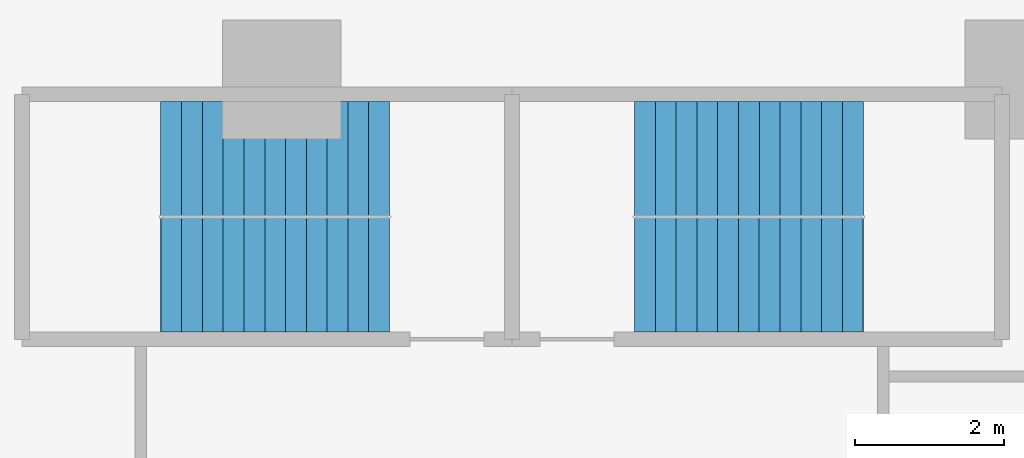
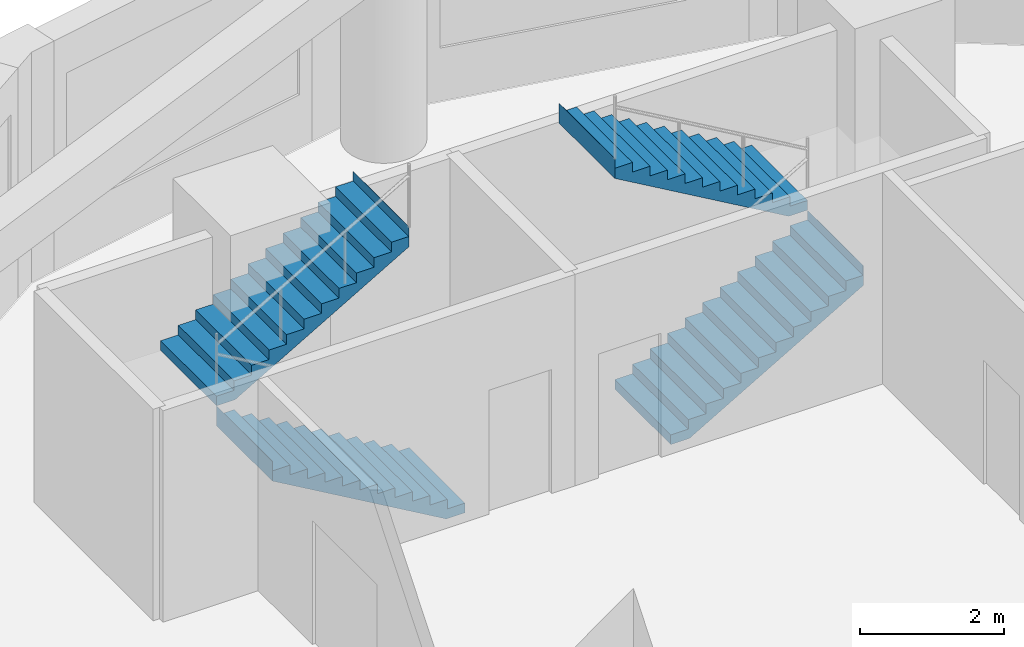
# One storey, part 8 of 10: 4 stair flights, 2 elements without a shape of their own.
"""IFC4 building model written with IfcOpenShell, lengths in metres."""

import ifcopenshell
import ifcopenshell.guid

model = None  # the IFC model being written
_history = None  # IfcOwnerHistory: only IFC2X3 demands one
_inside = {}  # id of a spatial element -> (the spatial element, [elements in it])
_under = {}  # id of a project, library or spatial element -> (it, [spatial elements below it])
_declared = {}  # id of a project -> (the project, [libraries it declares])
_typed = {}  # id of a type object -> (the type object, [elements of that type])
_made_of = {}  # id of a material, layer set ... -> (it, [elements and type objects made of it])


def new_model(schema):
    """Start an empty IFC model of exactly this schema.

    Asked for "IFC4X3", IfcOpenShell would pick the latest addendum, in which some entities
    have other attributes; the version numbers below select the first issue.
    IFC2X3 requires an IfcOwnerHistory on every rooted entity: one is made here for all.
    """
    global model, _history
    if schema == "IFC4X3":
        model = ifcopenshell.file(schema_version=(4, 3, 0, 0))
    else:
        model = ifcopenshell.file(schema=schema)
    _inside.clear()
    _under.clear()
    _declared.clear()
    _typed.clear()
    _made_of.clear()
    _history = None
    if model.schema == "IFC2X3":
        org = make("IfcOrganization", Name="unknown")
        user = make(
            "IfcPersonAndOrganization",
            ThePerson=make("IfcPerson", FamilyName="unknown"),
            TheOrganization=org,
        )
        app = make(
            "IfcApplication",
            ApplicationDeveloper=org,
            Version="unknown",
            ApplicationFullName="unknown",
            ApplicationIdentifier="unknown",
        )
        _history = make(
            "IfcOwnerHistory",
            OwningUser=user,
            OwningApplication=app,
            ChangeAction="ADDED",
            CreationDate=0,
        )
    return model


def make(cls, **values):
    """One entity of the class cls with the attributes given. An attribute that is None is left unset."""
    return model.create_entity(
        cls, **{name: value for name, value in values.items() if value is not None}
    )


def rooted(cls, **values):
    """An entity with a GlobalId (a new one), such as an element, a storey or a relation."""
    return make(cls, GlobalId=ifcopenshell.guid.new(), OwnerHistory=_history, **values)


def si_unit(unit_type, name, prefix=None):
    """IfcSIUnit, for example si_unit("LENGTHUNIT", "METRE", prefix="MILLI")."""
    return make("IfcSIUnit", UnitType=unit_type, Prefix=prefix, Name=name)


def assignment(units):
    """IfcUnitAssignment: the units of a project."""
    return None if units is None else make("IfcUnitAssignment", Units=units)


def point(xyz):
    """IfcCartesianPoint."""
    return None if xyz is None else make("IfcCartesianPoint", Coordinates=xyz)


def direction(xyz):
    """IfcDirection."""
    return None if xyz is None else make("IfcDirection", DirectionRatios=xyz)


def frame(location, z_axis=None, x_axis=None):
    """IfcAxis2Placement3D, a coordinate frame: its origin and axes. An axis left out is left unset."""
    return make(
        "IfcAxis2Placement3D",
        Location=point(location),
        Axis=direction(z_axis),
        RefDirection=direction(x_axis),
    )


def origin():
    """The frame at (0, 0, 0) with its axes left unset."""
    return frame((0.0, 0.0, 0.0))


def place(relative_to, where):
    """IfcLocalPlacement: puts the frame where relative to a parent placement (None: the world)."""
    return make(
        "IfcLocalPlacement", PlacementRelTo=relative_to, RelativePlacement=where
    )


def context(
    kind, dimensions, precision=None, world=None, true_north=None, identifier=None
):
    """IfcGeometricRepresentationContext, for example the 3D "Model" context."""
    return make(
        "IfcGeometricRepresentationContext",
        ContextIdentifier=identifier,
        ContextType=kind,
        CoordinateSpaceDimension=dimensions,
        Precision=precision,
        WorldCoordinateSystem=world,
        TrueNorth=true_north,
    )


def subcontext(parent, identifier, kind, view, scale=None):
    """IfcGeometricRepresentationSubContext, for example "Body" below "Model"."""
    return make(
        "IfcGeometricRepresentationSubContext",
        ContextIdentifier=identifier,
        ContextType=kind,
        ParentContext=parent,
        TargetScale=scale,
        TargetView=view,
    )


def project(units=None, contexts=None):
    """IfcProject with its units and contexts."""
    return rooted(
        "IfcProject",
        Name="project",
        RepresentationContexts=contexts,
        UnitsInContext=assignment(units),
    )


def spatial(cls, under=None, at=None, **own):
    """A site, building, storey or space (cls), placed at a placement, below another one or the project."""
    s = rooted(cls, ObjectPlacement=at, **own)
    if under is not None:
        _under.setdefault(under.id(), (under, []))[1].append(s)
    return s


def polyline(points):
    """IfcPolyline through the points."""
    return make("IfcPolyline", Points=[point(p) for p in points])


def outline(outer, holes=None, kind="AREA"):
    """IfcArbitraryClosedProfileDef: a profile drawn as a closed curve; with holes, ...WithVoids."""
    if holes is None:
        return make("IfcArbitraryClosedProfileDef", ProfileType=kind, OuterCurve=outer)
    return make(
        "IfcArbitraryProfileDefWithVoids",
        ProfileType=kind,
        OuterCurve=outer,
        InnerCurves=holes,
    )


def extrude(swept, where, along, depth):
    """IfcExtrudedAreaSolid: the profile swept, set in the frame where, extruded along a direction by depth."""
    return make(
        "IfcExtrudedAreaSolid",
        SweptArea=swept,
        Position=where,
        ExtrudedDirection=direction(along),
        Depth=depth,
    )


def shape(context_of_items, identifier, shape_type, items):
    """IfcShapeRepresentation: the items that make up one representation, for example the "Body"."""
    return make(
        "IfcShapeRepresentation",
        ContextOfItems=context_of_items,
        RepresentationIdentifier=identifier,
        RepresentationType=shape_type,
        Items=items,
    )


def material(Name=None, Category=None):
    """IfcMaterial."""
    return make("IfcMaterial", Name=Name, Category=Category)


def made_of(thing, what):
    """Note that an element or type object is made of a material, layer set ...; save() writes the relation."""
    if what is not None:
        _made_of.setdefault(what.id(), (what, []))[1].append(thing)
    return thing


def type_object(cls, material=None, **own):
    """A type object (cls), such as IfcWallType, which elements share."""
    return made_of(rooted(cls, **own), material)


def element(
    cls,
    number,
    at=None,
    inside=None,
    cuts=None,
    type_object=None,
    material=None,
    context=None,
    identifier="Body",
    shape_type=None,
    held_by="IfcProductDefinitionShape",
    body=None,
    shapes=None,
    **own,
):
    """One element of the class cls, such as IfcWall. Its Tag is "e" and its number.

    at: its placement. inside: the storey or other place that contains it. cuts: it is an
    opening in that element (IfcRelVoidsElement). A single representation is given by context,
    identifier, shape_type and body (its items); several are given by shapes. held_by: the class
    of the entity that holds the representations. save() writes the other relations.
    """
    e = rooted(cls, Tag="e%d" % number, ObjectPlacement=at, **own)
    if body is not None:
        shapes = [shape(context, identifier, shape_type, body)]
    if shapes is not None:
        e.Representation = make(held_by, Representations=shapes)
    if inside is not None:
        _inside.setdefault(inside.id(), (inside, []))[1].append(e)
    if cuts is not None:
        rooted(
            "IfcRelVoidsElement", RelatingBuildingElement=cuts, RelatedOpeningElement=e
        )
    if type_object is not None:
        _typed.setdefault(type_object.id(), (type_object, []))[1].append(e)
    return made_of(e, material)


def aggregate(whole, parts):
    """IfcRelAggregates: a whole, such as a stair, and the parts it consists of."""
    return rooted("IfcRelAggregates", RelatingObject=whole, RelatedObjects=parts)


def save(model, path):
    """Write the relations noted so far, then the file.

    IfcRelAggregates (storeys below a building ...), IfcRelContainedInSpatialStructure (elements
    in a storey), IfcRelDefinesByType, IfcRelAssociatesMaterial and IfcRelDeclares: one each for
    every whole, place, type object, material and project.
    """
    for whole, parts in _under.values():
        aggregate(whole, parts)
    for where, things in _inside.values():
        rooted(
            "IfcRelContainedInSpatialStructure",
            RelatedElements=things,
            RelatingStructure=where,
        )
    for kind, things in _typed.values():
        rooted("IfcRelDefinesByType", RelatedObjects=things, RelatingType=kind)
    for what, things in _made_of.values():
        rooted("IfcRelAssociatesMaterial", RelatedObjects=things, RelatingMaterial=what)
    for by, libraries in _declared.values():
        rooted("IfcRelDeclares", RelatingContext=by, RelatedDefinitions=libraries)
    model.write(path)


model = new_model("IFC4")

# Units and contexts
model_context = context("Model", 3, precision=1e-05, world=origin(), true_north=direction((0.0, 1.0)))
body_context = subcontext(model_context, "Body", "Model", "MODEL_VIEW")
ifc_project = project(units=[si_unit("LENGTHUNIT", "METRE"), si_unit("AREAUNIT", "SQUARE_METRE"), si_unit("VOLUMEUNIT", "CUBIC_METRE"), si_unit("PLANEANGLEUNIT", "RADIAN"), si_unit("MASSUNIT", "GRAM", prefix="KILO")], contexts=[model_context])

# Site, building, storey
site_placement = place(None, origin())
site = spatial("IfcSite", under=ifc_project, at=site_placement, CompositionType="ELEMENT")
building_placement = place(site_placement, origin())
building = spatial("IfcBuilding", under=site, at=building_placement, Name="Qaws Garden Tower", CompositionType="ELEMENT")
storey_placement = place(building_placement, frame((0.0, 0.0, 43.199951171875)))
storey = spatial("IfcBuildingStorey", under=building, at=storey_placement, Name="L10", CompositionType="ELEMENT", Elevation=43.199951171875)

# Stair, stair flights
ifc_material_1 = material(Name="Concrete C40", Category="concrete")
stair_type = type_object("IfcStairType", Name="Exit stair 1350", PredefinedType="HALF_TURN_STAIR", material=ifc_material_1)
placement = place(storey_placement, origin())
stair_1 = element("IfcStair", 1, at=placement, inside=storey, type_object=stair_type, Name="Stair 6", PredefinedType="HALF_TURN_STAIR")
ifc_material_2 = material(Name="Concrete C40", Category="concrete")
stair_flight_type = type_object("IfcStairFlightType", Name="Stair flight 1350", PredefinedType="STRAIGHT", material=ifc_material_2)
stair_flight_1_placement = place(storey_placement, frame((11.449951171875, 67.375, 0.0), z_axis=(0.0, 0.0, 1.0), x_axis=(-1.0, 0.0, 0.0)))
stair_flight_1 = element("IfcStairFlight", 2, at=stair_flight_1_placement, type_object=stair_flight_type, Name="ST6 flight 1", NumberOfRisers=12, NumberOfTreads=11, PredefinedType="STRAIGHT", RiserHeight=0.1625, TreadLength=0.28, context=body_context, shape_type="SweptSolid", body=[
    extrude(outline(polyline([(-0.0029296875, 0.0), (-0.0029296875, 0.16259765625), (0.0, 0.16259765625), (0.280029296875, 0.16259765625), (0.280029296875, 0.324951171875), (0.56005859375, 0.324951171875), (0.56005859375, 0.487548828125), (0.840087890625, 0.487548828125), (0.840087890625, 0.64990234375), (1.1201171875, 0.64990234375), (1.1201171875, 0.8125), (1.39990234375, 0.8125), (1.39990234375, 0.97509765625), (1.679931640625, 0.97509765625), (1.679931640625, 1.137451171875), (1.9599609375, 1.137451171875), (1.9599609375, 1.300048828125), (2.239990234375, 1.300048828125), (2.239990234375, 1.46240234375), (2.52001953125, 1.46240234375), (2.52001953125, 1.625), (2.800048828125, 1.625), (2.800048828125, 1.78759765625), (3.080078125, 1.78759765625), (3.080078125, 1.949951171875), (3.0830078125, 1.949951171875), (3.0830078125, 1.6142578125), (3.080078125, 1.6142578125), (0.298583984375, 0.0), (-0.0029296875, 0.0)])), frame((0.0, 0.77490234375, 0.0), z_axis=(0.0, -1.0, 0.0), x_axis=(1.0, 0.0, 0.0)), (0.0, 0.0, 1.0), 1.550048828125),
])
stair_flight_2_placement = place(storey_placement, frame((8.3701171875, 68.925048828125, 1.949951171875), z_axis=(0.0, 0.0, 1.0), x_axis=(1.0, 0.0, 0.0)))
stair_flight_2 = element("IfcStairFlight", 3, at=stair_flight_2_placement, type_object=stair_flight_type, Name="ST6 flight 2", NumberOfRisers=12, NumberOfTreads=11, PredefinedType="STRAIGHT", RiserHeight=0.1625, TreadLength=0.28, context=body_context, shape_type="SweptSolid", body=[
    extrude(outline(polyline([(-0.0029296875, 0.0), (-0.0029296875, 0.16259765625), (0.0, 0.16259765625), (0.280029296875, 0.16259765625), (0.280029296875, 0.324951171875), (0.56005859375, 0.324951171875), (0.56005859375, 0.487548828125), (0.840087890625, 0.487548828125), (0.840087890625, 0.64990234375), (1.1201171875, 0.64990234375), (1.1201171875, 0.8125), (1.39990234375, 0.8125), (1.39990234375, 0.97509765625), (1.679931640625, 0.97509765625), (1.679931640625, 1.137451171875), (1.9599609375, 1.137451171875), (1.9599609375, 1.300048828125), (2.239990234375, 1.300048828125), (2.239990234375, 1.46240234375), (2.52001953125, 1.46240234375), (2.52001953125, 1.625), (2.800048828125, 1.625), (2.800048828125, 1.78759765625), (3.080078125, 1.78759765625), (3.080078125, 1.949951171875), (3.0830078125, 1.949951171875), (3.0830078125, 1.6142578125), (3.080078125, 1.6142578125), (0.298583984375, 0.0), (-0.0029296875, 0.0)])), frame((0.0, 0.77490234375, 0.0), z_axis=(0.0, -1.0, 0.0), x_axis=(1.0, 0.0, 0.0)), (0.0, 0.0, 1.0), 1.550048828125),
])
aggregate(stair_1, [stair_flight_1, stair_flight_2])

stair_2 = element("IfcStair", 4, at=placement, inside=storey, type_object=stair_type, Name="Stair 7", PredefinedType="HALF_TURN_STAIR")
stair_flight_3_placement = place(storey_placement, frame((14.75, 67.375, 0.0), z_axis=(0.0, 0.0, 1.0), x_axis=(1.0, 0.0, 0.0)))
stair_flight_3 = element("IfcStairFlight", 5, at=stair_flight_3_placement, type_object=stair_flight_type, Name="ST7 flight 1", NumberOfRisers=12, NumberOfTreads=11, PredefinedType="STRAIGHT", RiserHeight=0.1625, TreadLength=0.28, context=body_context, shape_type="SweptSolid", body=[
    extrude(outline(polyline([(-0.0029296875, 0.0), (-0.0029296875, 0.16259765625), (0.0, 0.16259765625), (0.280029296875, 0.16259765625), (0.280029296875, 0.324951171875), (0.56005859375, 0.324951171875), (0.56005859375, 0.487548828125), (0.840087890625, 0.487548828125), (0.840087890625, 0.64990234375), (1.1201171875, 0.64990234375), (1.1201171875, 0.8125), (1.39990234375, 0.8125), (1.39990234375, 0.97509765625), (1.679931640625, 0.97509765625), (1.679931640625, 1.137451171875), (1.9599609375, 1.137451171875), (1.9599609375, 1.300048828125), (2.239990234375, 1.300048828125), (2.239990234375, 1.46240234375), (2.52001953125, 1.46240234375), (2.52001953125, 1.625), (2.800048828125, 1.625), (2.800048828125, 1.78759765625), (3.080078125, 1.78759765625), (3.080078125, 1.949951171875), (3.0830078125, 1.949951171875), (3.0830078125, 1.6142578125), (3.080078125, 1.6142578125), (0.298583984375, 0.0), (-0.0029296875, 0.0)])), frame((0.0, 0.77490234375, 0.0), z_axis=(0.0, -1.0, 0.0), x_axis=(1.0, 0.0, 0.0)), (0.0, 0.0, 1.0), 1.550048828125),
])
stair_flight_4_placement = place(storey_placement, frame((17.830078125, 68.925048828125, 1.949951171875), z_axis=(0.0, 0.0, 1.0), x_axis=(-1.0, 0.0, 0.0)))
stair_flight_4 = element("IfcStairFlight", 6, at=stair_flight_4_placement, type_object=stair_flight_type, Name="ST7 flight 2", NumberOfRisers=12, NumberOfTreads=11, PredefinedType="STRAIGHT", RiserHeight=0.1625, TreadLength=0.28, context=body_context, shape_type="SweptSolid", body=[
    extrude(outline(polyline([(-0.0029296875, 0.0), (-0.0029296875, 0.16259765625), (0.0, 0.16259765625), (0.280029296875, 0.16259765625), (0.280029296875, 0.324951171875), (0.56005859375, 0.324951171875), (0.56005859375, 0.487548828125), (0.840087890625, 0.487548828125), (0.840087890625, 0.64990234375), (1.1201171875, 0.64990234375), (1.1201171875, 0.8125), (1.39990234375, 0.8125), (1.39990234375, 0.97509765625), (1.679931640625, 0.97509765625), (1.679931640625, 1.137451171875), (1.9599609375, 1.137451171875), (1.9599609375, 1.300048828125), (2.239990234375, 1.300048828125), (2.239990234375, 1.46240234375), (2.52001953125, 1.46240234375), (2.52001953125, 1.625), (2.800048828125, 1.625), (2.800048828125, 1.78759765625), (3.080078125, 1.78759765625), (3.080078125, 1.949951171875), (3.0830078125, 1.949951171875), (3.0830078125, 1.6142578125), (3.080078125, 1.6142578125), (0.298583984375, 0.0), (-0.0029296875, 0.0)])), frame((0.0, 0.77490234375, 0.0), z_axis=(0.0, -1.0, 0.0), x_axis=(1.0, 0.0, 0.0)), (0.0, 0.0, 1.0), 1.550048828125),
])
aggregate(stair_2, [stair_flight_3, stair_flight_4])

save(model, "model.ifc")
